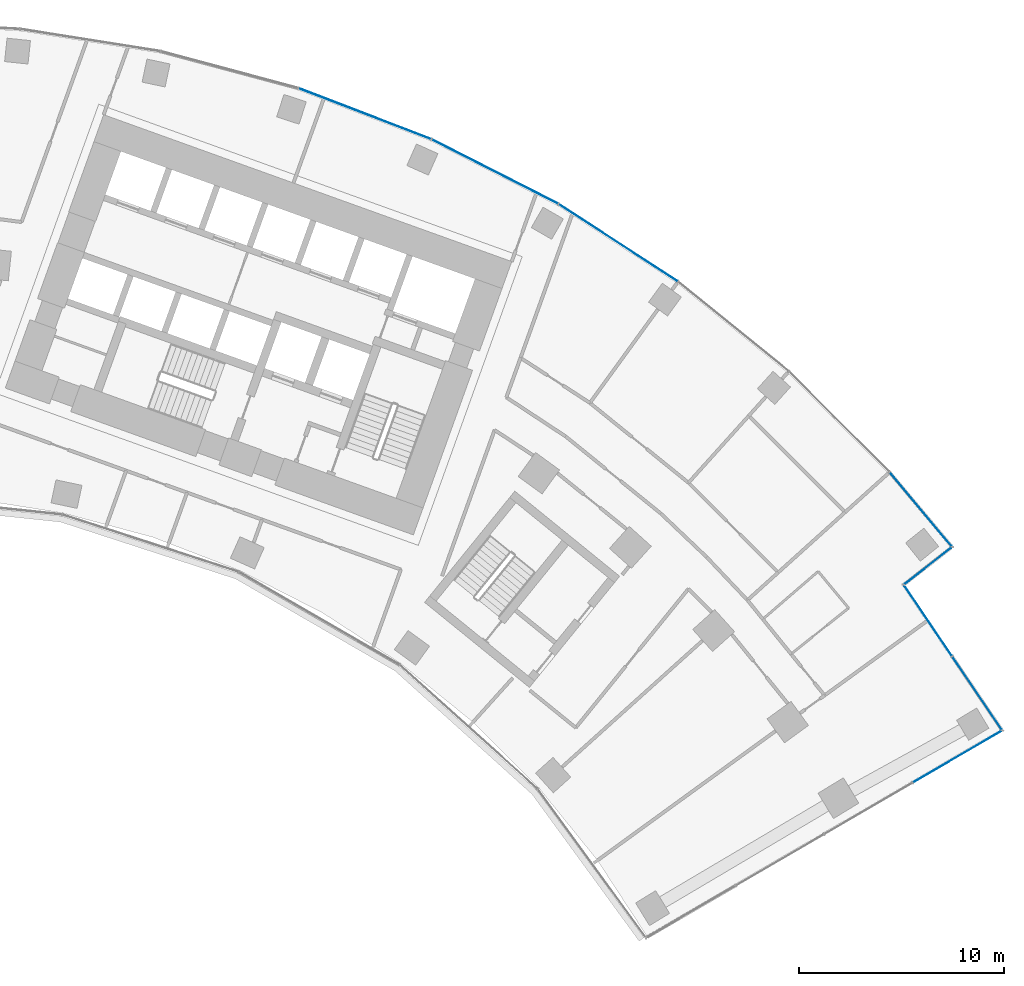
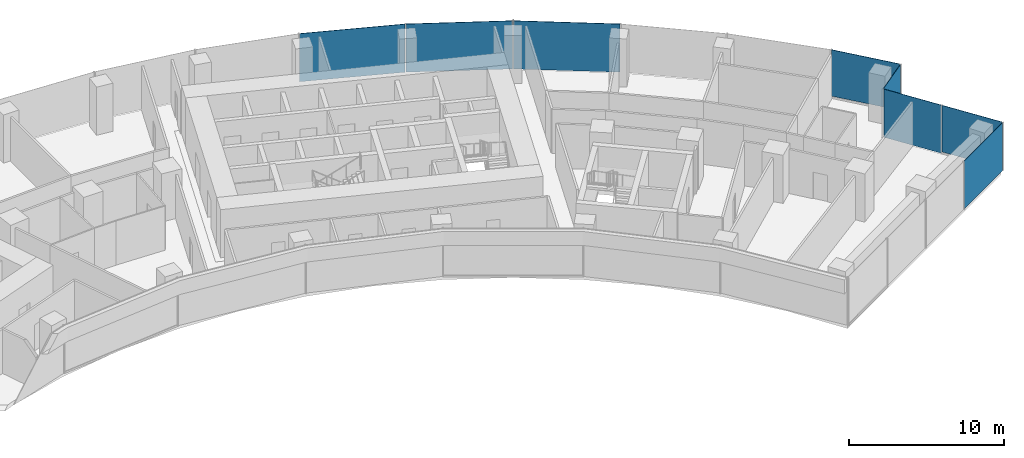
# One storey, part 11 of 19: 8 plates, 4 elements without a shape of their own.
"""IFC4 building model written with IfcOpenShell, lengths in metres."""

import ifcopenshell
import ifcopenshell.guid

model = None  # the IFC model being written
_history = None  # IfcOwnerHistory: only IFC2X3 demands one
_inside = {}  # id of a spatial element -> (the spatial element, [elements in it])
_under = {}  # id of a project, library or spatial element -> (it, [spatial elements below it])
_declared = {}  # id of a project -> (the project, [libraries it declares])
_typed = {}  # id of a type object -> (the type object, [elements of that type])
_made_of = {}  # id of a material, layer set ... -> (it, [elements and type objects made of it])


def new_model(schema):
    """Start an empty IFC model of exactly this schema.

    Asked for "IFC4X3", IfcOpenShell would pick the latest addendum, in which some entities
    have other attributes; the version numbers below select the first issue.
    IFC2X3 requires an IfcOwnerHistory on every rooted entity: one is made here for all.
    """
    global model, _history
    if schema == "IFC4X3":
        model = ifcopenshell.file(schema_version=(4, 3, 0, 0))
    else:
        model = ifcopenshell.file(schema=schema)
    _inside.clear()
    _under.clear()
    _declared.clear()
    _typed.clear()
    _made_of.clear()
    _history = None
    if model.schema == "IFC2X3":
        org = make("IfcOrganization", Name="unknown")
        user = make(
            "IfcPersonAndOrganization",
            ThePerson=make("IfcPerson", FamilyName="unknown"),
            TheOrganization=org,
        )
        app = make(
            "IfcApplication",
            ApplicationDeveloper=org,
            Version="unknown",
            ApplicationFullName="unknown",
            ApplicationIdentifier="unknown",
        )
        _history = make(
            "IfcOwnerHistory",
            OwningUser=user,
            OwningApplication=app,
            ChangeAction="ADDED",
            CreationDate=0,
        )
    return model


def make(cls, **values):
    """One entity of the class cls with the attributes given. An attribute that is None is left unset."""
    return model.create_entity(
        cls, **{name: value for name, value in values.items() if value is not None}
    )


def rooted(cls, **values):
    """An entity with a GlobalId (a new one), such as an element, a storey or a relation."""
    return make(cls, GlobalId=ifcopenshell.guid.new(), OwnerHistory=_history, **values)


def si_unit(unit_type, name, prefix=None):
    """IfcSIUnit, for example si_unit("LENGTHUNIT", "METRE", prefix="MILLI")."""
    return make("IfcSIUnit", UnitType=unit_type, Prefix=prefix, Name=name)


def assignment(units):
    """IfcUnitAssignment: the units of a project."""
    return None if units is None else make("IfcUnitAssignment", Units=units)


def point(xyz):
    """IfcCartesianPoint."""
    return None if xyz is None else make("IfcCartesianPoint", Coordinates=xyz)


def direction(xyz):
    """IfcDirection."""
    return None if xyz is None else make("IfcDirection", DirectionRatios=xyz)


def frame(location, z_axis=None, x_axis=None):
    """IfcAxis2Placement3D, a coordinate frame: its origin and axes. An axis left out is left unset."""
    return make(
        "IfcAxis2Placement3D",
        Location=point(location),
        Axis=direction(z_axis),
        RefDirection=direction(x_axis),
    )


def frame_2d(location, x_axis=None):
    """IfcAxis2Placement2D, a coordinate frame in the plane: its origin and x axis."""
    return make(
        "IfcAxis2Placement2D", Location=point(location), RefDirection=direction(x_axis)
    )


def origin():
    """The frame at (0, 0, 0) with its axes left unset."""
    return frame((0.0, 0.0, 0.0))


def origin_2d():
    """The frame at (0, 0) in the plane with its x axis left unset."""
    return frame_2d((0.0, 0.0))


def place(relative_to, where):
    """IfcLocalPlacement: puts the frame where relative to a parent placement (None: the world)."""
    return make(
        "IfcLocalPlacement", PlacementRelTo=relative_to, RelativePlacement=where
    )


def context(
    kind, dimensions, precision=None, world=None, true_north=None, identifier=None
):
    """IfcGeometricRepresentationContext, for example the 3D "Model" context."""
    return make(
        "IfcGeometricRepresentationContext",
        ContextIdentifier=identifier,
        ContextType=kind,
        CoordinateSpaceDimension=dimensions,
        Precision=precision,
        WorldCoordinateSystem=world,
        TrueNorth=true_north,
    )


def subcontext(parent, identifier, kind, view, scale=None):
    """IfcGeometricRepresentationSubContext, for example "Body" below "Model"."""
    return make(
        "IfcGeometricRepresentationSubContext",
        ContextIdentifier=identifier,
        ContextType=kind,
        ParentContext=parent,
        TargetScale=scale,
        TargetView=view,
    )


def project(units=None, contexts=None):
    """IfcProject with its units and contexts."""
    return rooted(
        "IfcProject",
        Name="project",
        RepresentationContexts=contexts,
        UnitsInContext=assignment(units),
    )


def spatial(cls, under=None, at=None, **own):
    """A site, building, storey or space (cls), placed at a placement, below another one or the project."""
    s = rooted(cls, ObjectPlacement=at, **own)
    if under is not None:
        _under.setdefault(under.id(), (under, []))[1].append(s)
    return s


def profile(cls, at=None, kind="AREA", **sizes):
    """A parametric profile (cls). Its sizes go by their IFC names, for example OverallWidth=200.0."""
    return make(cls, ProfileType=kind, Position=at, **sizes)


def rectangle(**sizes):
    """IfcRectangleProfileDef."""
    return profile("IfcRectangleProfileDef", **sizes)


def extrude(swept, where, along, depth):
    """IfcExtrudedAreaSolid: the profile swept, set in the frame where, extruded along a direction by depth."""
    return make(
        "IfcExtrudedAreaSolid",
        SweptArea=swept,
        Position=where,
        ExtrudedDirection=direction(along),
        Depth=depth,
    )


def shape(context_of_items, identifier, shape_type, items):
    """IfcShapeRepresentation: the items that make up one representation, for example the "Body"."""
    return make(
        "IfcShapeRepresentation",
        ContextOfItems=context_of_items,
        RepresentationIdentifier=identifier,
        RepresentationType=shape_type,
        Items=items,
    )


def material(Name=None, Category=None):
    """IfcMaterial."""
    return make("IfcMaterial", Name=Name, Category=Category)


def layer(
    of_material, thickness, ventilated=None, Name=None, Category=None, Priority=None
):
    """IfcMaterialLayer: one layer of a wall or slab, of a material (None: an air gap)."""
    return make(
        "IfcMaterialLayer",
        Material=of_material,
        LayerThickness=thickness,
        IsVentilated=ventilated,
        Name=Name,
        Category=Category,
        Priority=Priority,
    )


def layer_set(layers, Name=None):
    """IfcMaterialLayerSet."""
    return make("IfcMaterialLayerSet", MaterialLayers=layers, LayerSetName=Name)


def made_of(thing, what):
    """Note that an element or type object is made of a material, layer set ...; save() writes the relation."""
    if what is not None:
        _made_of.setdefault(what.id(), (what, []))[1].append(thing)
    return thing


def type_object(cls, material=None, **own):
    """A type object (cls), such as IfcWallType, which elements share."""
    return made_of(rooted(cls, **own), material)


def element(
    cls,
    number,
    at=None,
    inside=None,
    cuts=None,
    type_object=None,
    material=None,
    context=None,
    identifier="Body",
    shape_type=None,
    held_by="IfcProductDefinitionShape",
    body=None,
    shapes=None,
    **own,
):
    """One element of the class cls, such as IfcWall. Its Tag is "e" and its number.

    at: its placement. inside: the storey or other place that contains it. cuts: it is an
    opening in that element (IfcRelVoidsElement). A single representation is given by context,
    identifier, shape_type and body (its items); several are given by shapes. held_by: the class
    of the entity that holds the representations. save() writes the other relations.
    """
    e = rooted(cls, Tag="e%d" % number, ObjectPlacement=at, **own)
    if body is not None:
        shapes = [shape(context, identifier, shape_type, body)]
    if shapes is not None:
        e.Representation = make(held_by, Representations=shapes)
    if inside is not None:
        _inside.setdefault(inside.id(), (inside, []))[1].append(e)
    if cuts is not None:
        rooted(
            "IfcRelVoidsElement", RelatingBuildingElement=cuts, RelatedOpeningElement=e
        )
    if type_object is not None:
        _typed.setdefault(type_object.id(), (type_object, []))[1].append(e)
    return made_of(e, material)


def aggregate(whole, parts):
    """IfcRelAggregates: a whole, such as a stair, and the parts it consists of."""
    return rooted("IfcRelAggregates", RelatingObject=whole, RelatedObjects=parts)


def save(model, path):
    """Write the relations noted so far, then the file.

    IfcRelAggregates (storeys below a building ...), IfcRelContainedInSpatialStructure (elements
    in a storey), IfcRelDefinesByType, IfcRelAssociatesMaterial and IfcRelDeclares: one each for
    every whole, place, type object, material and project.
    """
    for whole, parts in _under.values():
        aggregate(whole, parts)
    for where, things in _inside.values():
        rooted(
            "IfcRelContainedInSpatialStructure",
            RelatedElements=things,
            RelatingStructure=where,
        )
    for kind, things in _typed.values():
        rooted("IfcRelDefinesByType", RelatedObjects=things, RelatingType=kind)
    for what, things in _made_of.values():
        rooted("IfcRelAssociatesMaterial", RelatedObjects=things, RelatingMaterial=what)
    for by, libraries in _declared.values():
        rooted("IfcRelDeclares", RelatingContext=by, RelatedDefinitions=libraries)
    model.write(path)


model = new_model("IFC4")

# Units and contexts
model_context = context("Model", 3, precision=1e-05, world=origin(), true_north=direction((0.0, 1.0)))
body_context = subcontext(model_context, "Body", "Model", "MODEL_VIEW")
ifc_project = project(units=[si_unit("LENGTHUNIT", "METRE"), si_unit("AREAUNIT", "SQUARE_METRE"), si_unit("VOLUMEUNIT", "CUBIC_METRE"), si_unit("PLANEANGLEUNIT", "RADIAN"), si_unit("MASSUNIT", "GRAM", prefix="KILO")], contexts=[model_context])

# Site, building, storey
site_placement = place(None, origin())
site = spatial("IfcSite", under=ifc_project, at=site_placement, CompositionType="ELEMENT")
building_placement = place(site_placement, origin())
building = spatial("IfcBuilding", under=site, at=building_placement, Name="Stone Belt Terrace Tower", CompositionType="ELEMENT")
storey_placement = place(building_placement, frame((0.0, 0.0, 128.800048828125)))
storey = spatial("IfcBuildingStorey", under=building, at=storey_placement, Name="L31", CompositionType="ELEMENT", Elevation=128.800048828125)

# Curtain wall, plates
ifc_material_1 = material(Name="Aluminium 6063-T6 anodised frame", Category="aluminium")
ifc_layer_1 = layer(ifc_material_1, 0.14990234375)
ifc_layer_set_1 = layer_set([ifc_layer_1], Name="CW-A unitised convex-face curtain wall")
curtain_wall_type_1 = type_object("IfcCurtainWallType", Name="CW-A unitised convex-face curtain wall", PredefinedType="NOTDEFINED", material=ifc_layer_set_1)
curtain_wall_1_placement = place(storey_placement, origin())
curtain_wall_1 = element("IfcCurtainWall", 1, at=curtain_wall_1_placement, inside=storey, type_object=curtain_wall_type_1, Name="CW-A convex face L31", PredefinedType="NOTDEFINED")
ifc_material_2 = material(Name="Clear double glazed unit")
ifc_layer_2 = layer(ifc_material_2, 0.031982421875)
ifc_layer_set_2 = layer_set([ifc_layer_2], Name="CW-A glass panel 32")
plate_type_1 = type_object("IfcPlateType", Name="CW-A glass panel 32", PredefinedType="CURTAIN_PANEL", material=ifc_layer_set_2)
plate_1_placement = place(storey_placement, frame((50.993896484375, 42.73583984375, 0.14013671875), z_axis=(0.0, 0.0, 1.0), x_axis=(-0.642509184121, 0.766277983711, 0.0)))
plate_1 = element("IfcPlate", 2, at=plate_1_placement, type_object=plate_type_1, Name="CW-A panel 1.1", PredefinedType="CURTAIN_PANEL", context=body_context, shape_type="SweptSolid", body=[
    extrude(rectangle(XDim=4.662841796875, YDim=0.031982421875, at=origin_2d()), origin(), (0.0, 0.0, 1.0), 3.659912109375),
])
plate_2_placement = place(storey_placement, frame((36.209716796875, 55.758056640625, 0.0), z_axis=(0.0, 0.0, 1.0), x_axis=(-0.838670567945, 0.544639035015, 0.0)))
plate_2 = element("IfcPlate", 3, at=plate_2_placement, type_object=plate_type_1, Name="CW-A panel 4.1", PredefinedType="CURTAIN_PANEL", context=body_context, shape_type="SweptSolid", body=[
    extrude(rectangle(XDim=6.90087890625, YDim=0.031982421875, at=origin_2d()), origin(), (0.0, 0.0, 1.0), 3.800048828125),
])
plate_3_placement = place(storey_placement, frame((30.18310546875, 59.237548828125, 0.0), z_axis=(0.0, 0.0, 1.0), x_axis=(-0.891006524188, 0.45399049974, 0.0)))
plate_3 = element("IfcPlate", 4, at=plate_3_placement, type_object=plate_type_1, Name="CW-A panel 5.1", PredefinedType="CURTAIN_PANEL", context=body_context, shape_type="SweptSolid", body=[
    extrude(rectangle(XDim=6.90087890625, YDim=0.031982421875, at=origin_2d()), origin(), (0.0, 0.0, 1.0), 3.800048828125),
])
plate_4_placement = place(storey_placement, frame((23.82568359375, 62.068115234375, 0.0), z_axis=(0.0, 0.0, 1.0), x_axis=(-0.933580426497, 0.358367949545, 0.0)))
plate_4 = element("IfcPlate", 5, at=plate_4_placement, type_object=plate_type_1, Name="CW-A panel 6.1", PredefinedType="CURTAIN_PANEL", context=body_context, shape_type="SweptSolid", body=[
    extrude(rectangle(XDim=6.90087890625, YDim=0.031982421875, at=origin_2d()), origin(), (0.0, 0.0, 1.0), 3.800048828125),
])
aggregate(curtain_wall_1, [plate_1, plate_2, plate_3, plate_4])

# Curtain wall, plate
ifc_layer_3 = layer(ifc_material_1, 0.14990234375)
ifc_layer_set_3 = layer_set([ifc_layer_3], Name="CW-C stick curtain wall, horn ends and notches")
curtain_wall_type_2 = type_object("IfcCurtainWallType", Name="CW-C stick curtain wall, horn ends and notches", PredefinedType="NOTDEFINED", material=ifc_layer_set_3)
curtain_wall_2_placement = place(storey_placement, origin())
curtain_wall_2 = element("IfcCurtainWall", 6, at=curtain_wall_2_placement, inside=storey, type_object=curtain_wall_type_2, Name="CW-C end face L31", PredefinedType="NOTDEFINED")
ifc_layer_4 = layer(ifc_material_2, 0.028076171875)
ifc_layer_set_4 = layer_set([ifc_layer_4], Name="CW-C glass panel 28")
plate_type_2 = type_object("IfcPlateType", Name="CW-C glass panel 28", PredefinedType="CURTAIN_PANEL", material=ifc_layer_set_4)
plate_5_placement = place(storey_placement, frame((52.771484375, 30.6318359375, 0.0), z_axis=(0.0, 0.0, 1.0), x_axis=(0.864239322284, 0.503080901861, 0.0)))
plate_5 = element("IfcPlate", 7, at=plate_5_placement, type_object=plate_type_2, Name="CW-C panel 4.1", PredefinedType="CURTAIN_PANEL", context=body_context, shape_type="SweptSolid", body=[
    extrude(rectangle(XDim=4.974853515625, YDim=0.028076171875, at=origin_2d()), origin(), (0.0, 0.0, 1.0), 3.800048828125),
])
aggregate(curtain_wall_2, [plate_5])

# Curtain wall, plates
curtain_wall_3_placement = place(storey_placement, origin())
curtain_wall_3 = element("IfcCurtainWall", 8, at=curtain_wall_3_placement, inside=storey, type_object=curtain_wall_type_2, Name="CW-C notch face L31", PredefinedType="NOTDEFINED")
plate_6_placement = place(storey_placement, frame((53.748046875, 33.751220703125, 0.1201171875), z_axis=(0.0, 0.0, 1.0), x_axis=(-0.560367245622, 0.828244257471, 0.0)))
plate_6 = element("IfcPlate", 9, at=plate_6_placement, type_object=plate_type_2, Name="CW-C panel 1.1", PredefinedType="CURTAIN_PANEL", context=body_context, shape_type="SweptSolid", body=[
    extrude(rectangle(XDim=4.268798828125, YDim=0.028076171875, at=origin_2d()), origin(), (0.0, 0.0, 1.0), 3.679931640625),
])
plate_7_placement = place(storey_placement, frame((51.364013671875, 37.275146484375, 0.0), z_axis=(0.0, 0.0, 1.0), x_axis=(-0.560367245622, 0.828244257471, 0.0)))
plate_7 = element("IfcPlate", 10, at=plate_7_placement, type_object=plate_type_2, Name="CW-C panel 2.1", PredefinedType="CURTAIN_PANEL", context=body_context, shape_type="SweptSolid", body=[
    extrude(rectangle(XDim=4.12060546875, YDim=0.028076171875, at=origin_2d()), origin(), (0.0, 0.0, 1.0), 3.800048828125),
])
aggregate(curtain_wall_3, [plate_6, plate_7])

# Curtain wall, plate
curtain_wall_4_placement = place(storey_placement, origin())
curtain_wall_4 = element("IfcCurtainWall", 11, at=curtain_wall_4_placement, inside=storey, type_object=curtain_wall_type_2, Name="CW-C notch face L31", PredefinedType="NOTDEFINED")
plate_8_placement = place(storey_placement, frame((51.353515625, 39.966552734375, 0.1201171875), z_axis=(0.0, 0.0, 1.0), x_axis=(0.788458012337, 0.615088581248, 0.0)))
plate_8 = element("IfcPlate", 12, at=plate_8_placement, type_object=plate_type_2, Name="CW-C panel 1.1", PredefinedType="CURTAIN_PANEL", context=body_context, shape_type="SweptSolid", body=[
    extrude(rectangle(XDim=2.859619140625, YDim=0.028076171875, at=origin_2d()), origin(), (0.0, 0.0, 1.0), 3.679931640625),
])
aggregate(curtain_wall_4, [plate_8])

save(model, "model.ifc")
